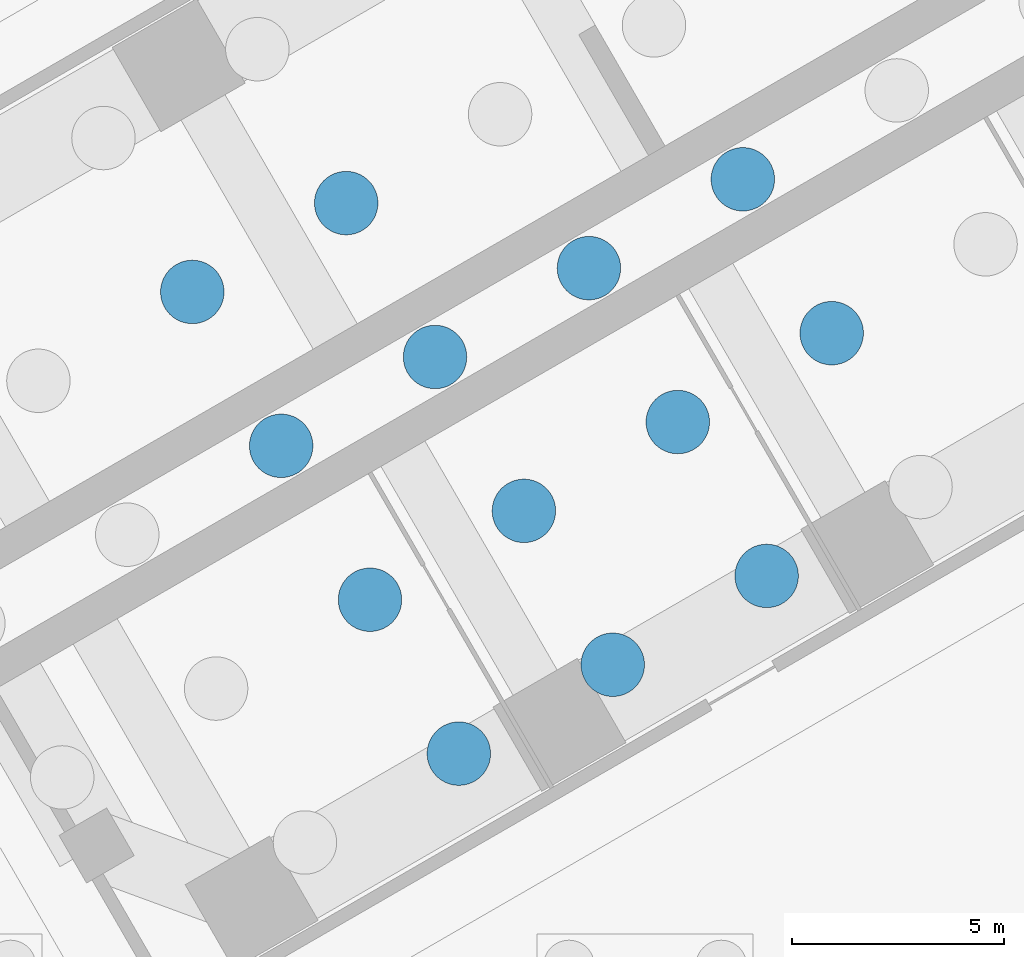
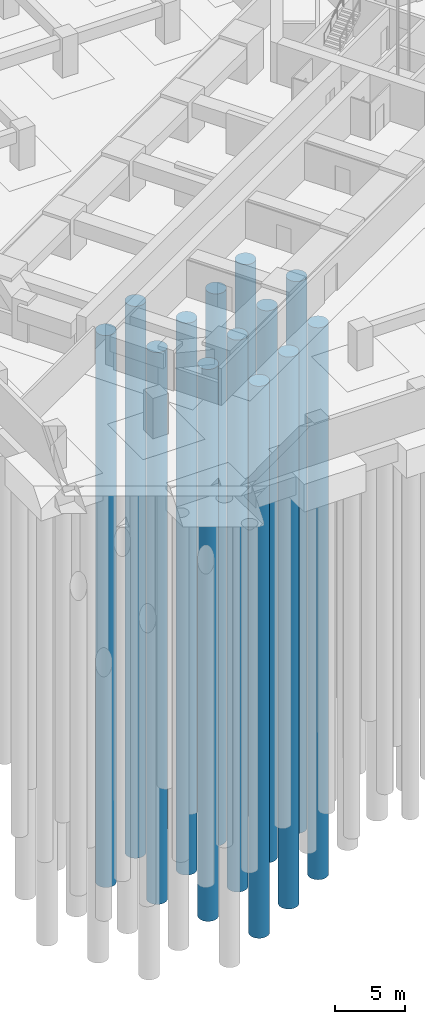
# One storey, part 5 of 73: 13 piles.
"""IFC4 building model written with IfcOpenShell, lengths in metres."""

from ifc_helpers import new_model, si_unit, direction, frame, origin, origin_2d, place, context, subcontext, project, spatial, polyline, circle, outline, extrude, material, material_profile, profile_set, type_object, element, save


model = new_model("IFC4")

# Units and contexts
model_context = context("Model", 3, precision=1e-05, world=origin(), true_north=direction((0.0, 1.0)))
body_context = subcontext(model_context, "Body", "Model", "MODEL_VIEW")
ifc_project = project(units=[si_unit("LENGTHUNIT", "METRE"), si_unit("AREAUNIT", "SQUARE_METRE"), si_unit("VOLUMEUNIT", "CUBIC_METRE"), si_unit("PLANEANGLEUNIT", "RADIAN"), si_unit("MASSUNIT", "GRAM", prefix="KILO")], contexts=[model_context])

# Site, building, storey
site_placement = place(None, origin())
site = spatial("IfcSite", under=ifc_project, at=site_placement, CompositionType="ELEMENT")
building_placement = place(site_placement, origin())
building = spatial("IfcBuilding", under=site, at=building_placement, Name="Impinga Residences", CompositionType="ELEMENT")
storey_placement = place(building_placement, frame((0.0, 0.0, -10.5)))
storey = spatial("IfcBuildingStorey", under=building, at=storey_placement, Name="B3", CompositionType="ELEMENT", Elevation=-10.5)

# Piles
ifc_material = material(Name="Concrete C35/45", Category="concrete")
ifc_material_profile = material_profile(ifc_material, circle(Radius=0.75, at=origin_2d()), Name="D1500")
ifc_profile_set = profile_set([ifc_material_profile], Name="Concrete C35/45")
pile_type = type_object("IfcPileType", Name="BP1 bored pile D1500", PredefinedType="BORED", material=ifc_profile_set)
pile_1_placement = place(storey_placement, frame((-29.602294921875, -26.790283203125, -4.0), z_axis=(0.0, 0.0, -1.0), x_axis=(1.0, 0.0, 0.0)))
element("IfcPile", 1, at=pile_1_placement, inside=storey, type_object=pile_type, Name="Raft pile BP1-005", PredefinedType="BORED", context=body_context, shape_type="SweptSolid", body=[
    extrude(outline(polyline([(0.75, 0.0), (0.746337890625, 0.073486328125), (0.735595703125, 0.146240234375), (0.7177734375, 0.2177734375), (0.69287109375, 0.287109375), (0.661376953125, 0.353515625), (0.62353515625, 0.416748046875), (0.579833984375, 0.475830078125), (0.5302734375, 0.5302734375), (0.475830078125, 0.579833984375), (0.416748046875, 0.62353515625), (0.353515625, 0.661376953125), (0.287109375, 0.69287109375), (0.2177734375, 0.7177734375), (0.146240234375, 0.735595703125), (0.073486328125, 0.746337890625), (0.0, 0.75), (-0.073486328125, 0.746337890625), (-0.146240234375, 0.735595703125), (-0.2177734375, 0.7177734375), (-0.287109375, 0.69287109375), (-0.353515625, 0.661376953125), (-0.416748046875, 0.62353515625), (-0.475830078125, 0.579833984375), (-0.5302734375, 0.5302734375), (-0.579833984375, 0.475830078125), (-0.62353515625, 0.416748046875), (-0.661376953125, 0.353515625), (-0.69287109375, 0.287109375), (-0.7177734375, 0.2177734375), (-0.735595703125, 0.146240234375), (-0.746337890625, 0.073486328125), (-0.75, 0.0), (-0.746337890625, -0.073486328125), (-0.735595703125, -0.146240234375), (-0.7177734375, -0.2177734375), (-0.69287109375, -0.287109375), (-0.661376953125, -0.353515625), (-0.62353515625, -0.416748046875), (-0.579833984375, -0.475830078125), (-0.5302734375, -0.5302734375), (-0.475830078125, -0.579833984375), (-0.416748046875, -0.62353515625), (-0.353515625, -0.661376953125), (-0.287109375, -0.69287109375), (-0.2177734375, -0.7177734375), (-0.146240234375, -0.735595703125), (-0.073486328125, -0.746337890625), (0.0, -0.75), (0.073486328125, -0.746337890625), (0.146240234375, -0.735595703125), (0.2177734375, -0.7177734375), (0.287109375, -0.69287109375), (0.353515625, -0.661376953125), (0.416748046875, -0.62353515625), (0.475830078125, -0.579833984375), (0.5302734375, -0.5302734375), (0.579833984375, -0.475830078125), (0.62353515625, -0.416748046875), (0.661376953125, -0.353515625), (0.69287109375, -0.287109375), (0.7177734375, -0.2177734375), (0.735595703125, -0.146240234375), (0.746337890625, -0.073486328125), (0.75, 0.0)])), origin(), (0.0, 0.0, 1.0), 48.0),
])
pile_2_placement = place(storey_placement, frame((-25.965087890625, -24.6904296875, -4.0), z_axis=(0.0, 0.0, -1.0), x_axis=(1.0, 0.0, 0.0)))
element("IfcPile", 2, at=pile_2_placement, inside=storey, type_object=pile_type, Name="Raft pile BP1-009", PredefinedType="BORED", context=body_context, shape_type="SweptSolid", body=[
    extrude(outline(polyline([(0.75, 0.0), (0.746337890625, 0.073486328125), (0.735595703125, 0.146240234375), (0.7177734375, 0.2177734375), (0.69287109375, 0.287109375), (0.661376953125, 0.353515625), (0.62353515625, 0.416748046875), (0.579833984375, 0.475830078125), (0.5302734375, 0.5302734375), (0.475830078125, 0.579833984375), (0.416748046875, 0.62353515625), (0.353515625, 0.661376953125), (0.287109375, 0.69287109375), (0.2177734375, 0.7177734375), (0.146240234375, 0.735595703125), (0.073486328125, 0.746337890625), (0.0, 0.75), (-0.073486328125, 0.746337890625), (-0.146240234375, 0.735595703125), (-0.2177734375, 0.7177734375), (-0.287109375, 0.69287109375), (-0.353515625, 0.661376953125), (-0.416748046875, 0.62353515625), (-0.475830078125, 0.579833984375), (-0.5302734375, 0.5302734375), (-0.579833984375, 0.475830078125), (-0.62353515625, 0.416748046875), (-0.661376953125, 0.353515625), (-0.69287109375, 0.287109375), (-0.7177734375, 0.2177734375), (-0.735595703125, 0.146240234375), (-0.746337890625, 0.073486328125), (-0.75, 0.0), (-0.746337890625, -0.073486328125), (-0.735595703125, -0.146240234375), (-0.7177734375, -0.2177734375), (-0.69287109375, -0.287109375), (-0.661376953125, -0.353515625), (-0.62353515625, -0.416748046875), (-0.579833984375, -0.475830078125), (-0.5302734375, -0.5302734375), (-0.475830078125, -0.579833984375), (-0.416748046875, -0.62353515625), (-0.353515625, -0.661376953125), (-0.287109375, -0.69287109375), (-0.2177734375, -0.7177734375), (-0.146240234375, -0.735595703125), (-0.073486328125, -0.746337890625), (0.0, -0.75), (0.073486328125, -0.746337890625), (0.146240234375, -0.735595703125), (0.2177734375, -0.7177734375), (0.287109375, -0.69287109375), (0.353515625, -0.661376953125), (0.416748046875, -0.62353515625), (0.475830078125, -0.579833984375), (0.5302734375, -0.5302734375), (0.579833984375, -0.475830078125), (0.62353515625, -0.416748046875), (0.661376953125, -0.353515625), (0.69287109375, -0.287109375), (0.7177734375, -0.2177734375), (0.735595703125, -0.146240234375), (0.746337890625, -0.073486328125), (0.75, 0.0)])), origin(), (0.0, 0.0, 1.0), 48.0),
])
pile_3_placement = place(storey_placement, frame((-31.702392578125, -23.153076171875, -4.0), z_axis=(0.0, 0.0, -1.0), x_axis=(1.0, 0.0, 0.0)))
element("IfcPile", 3, at=pile_3_placement, inside=storey, type_object=pile_type, Name="Raft pile BP1-013", PredefinedType="BORED", context=body_context, shape_type="SweptSolid", body=[
    extrude(outline(polyline([(0.75, 0.0), (0.746337890625, 0.073486328125), (0.735595703125, 0.146240234375), (0.7177734375, 0.2177734375), (0.69287109375, 0.287109375), (0.661376953125, 0.353515625), (0.62353515625, 0.416748046875), (0.579833984375, 0.475830078125), (0.5302734375, 0.5302734375), (0.475830078125, 0.579833984375), (0.416748046875, 0.62353515625), (0.353515625, 0.661376953125), (0.287109375, 0.69287109375), (0.2177734375, 0.7177734375), (0.146240234375, 0.735595703125), (0.073486328125, 0.746337890625), (0.0, 0.75), (-0.073486328125, 0.746337890625), (-0.146240234375, 0.735595703125), (-0.2177734375, 0.7177734375), (-0.287109375, 0.69287109375), (-0.353515625, 0.661376953125), (-0.416748046875, 0.62353515625), (-0.475830078125, 0.579833984375), (-0.5302734375, 0.5302734375), (-0.579833984375, 0.475830078125), (-0.62353515625, 0.416748046875), (-0.661376953125, 0.353515625), (-0.69287109375, 0.287109375), (-0.7177734375, 0.2177734375), (-0.735595703125, 0.146240234375), (-0.746337890625, 0.073486328125), (-0.75, 0.0), (-0.746337890625, -0.073486328125), (-0.735595703125, -0.146240234375), (-0.7177734375, -0.2177734375), (-0.69287109375, -0.287109375), (-0.661376953125, -0.353515625), (-0.62353515625, -0.416748046875), (-0.579833984375, -0.475830078125), (-0.5302734375, -0.5302734375), (-0.475830078125, -0.579833984375), (-0.416748046875, -0.62353515625), (-0.353515625, -0.661376953125), (-0.287109375, -0.69287109375), (-0.2177734375, -0.7177734375), (-0.146240234375, -0.735595703125), (-0.073486328125, -0.746337890625), (0.0, -0.75), (0.073486328125, -0.746337890625), (0.146240234375, -0.735595703125), (0.2177734375, -0.7177734375), (0.287109375, -0.69287109375), (0.353515625, -0.661376953125), (0.416748046875, -0.62353515625), (0.475830078125, -0.579833984375), (0.5302734375, -0.5302734375), (0.579833984375, -0.475830078125), (0.62353515625, -0.416748046875), (0.661376953125, -0.353515625), (0.69287109375, -0.287109375), (0.7177734375, -0.2177734375), (0.735595703125, -0.146240234375), (0.746337890625, -0.073486328125), (0.75, 0.0)])), origin(), (0.0, 0.0, 1.0), 48.0),
])
pile_4_placement = place(storey_placement, frame((-22.32763671875, -22.59033203125, -4.0), z_axis=(0.0, 0.0, -1.0), x_axis=(1.0, 0.0, 0.0)))
element("IfcPile", 4, at=pile_4_placement, inside=storey, type_object=pile_type, Name="Raft pile BP1-015", PredefinedType="BORED", context=body_context, shape_type="SweptSolid", body=[
    extrude(outline(polyline([(0.75, 0.0), (0.746337890625, 0.073486328125), (0.735595703125, 0.146240234375), (0.7177734375, 0.2177734375), (0.69287109375, 0.287109375), (0.661376953125, 0.353515625), (0.62353515625, 0.416748046875), (0.579833984375, 0.475830078125), (0.5302734375, 0.5302734375), (0.475830078125, 0.579833984375), (0.416748046875, 0.62353515625), (0.353515625, 0.661376953125), (0.287109375, 0.69287109375), (0.2177734375, 0.7177734375), (0.146240234375, 0.735595703125), (0.073486328125, 0.746337890625), (0.0, 0.75), (-0.073486328125, 0.746337890625), (-0.146240234375, 0.735595703125), (-0.2177734375, 0.7177734375), (-0.287109375, 0.69287109375), (-0.353515625, 0.661376953125), (-0.416748046875, 0.62353515625), (-0.475830078125, 0.579833984375), (-0.5302734375, 0.5302734375), (-0.579833984375, 0.475830078125), (-0.62353515625, 0.416748046875), (-0.661376953125, 0.353515625), (-0.69287109375, 0.287109375), (-0.7177734375, 0.2177734375), (-0.735595703125, 0.146240234375), (-0.746337890625, 0.073486328125), (-0.75, 0.0), (-0.746337890625, -0.073486328125), (-0.735595703125, -0.146240234375), (-0.7177734375, -0.2177734375), (-0.69287109375, -0.287109375), (-0.661376953125, -0.353515625), (-0.62353515625, -0.416748046875), (-0.579833984375, -0.475830078125), (-0.5302734375, -0.5302734375), (-0.475830078125, -0.579833984375), (-0.416748046875, -0.62353515625), (-0.353515625, -0.661376953125), (-0.287109375, -0.69287109375), (-0.2177734375, -0.7177734375), (-0.146240234375, -0.735595703125), (-0.073486328125, -0.746337890625), (0.0, -0.75), (0.073486328125, -0.746337890625), (0.146240234375, -0.735595703125), (0.2177734375, -0.7177734375), (0.287109375, -0.69287109375), (0.353515625, -0.661376953125), (0.416748046875, -0.62353515625), (0.475830078125, -0.579833984375), (0.5302734375, -0.5302734375), (0.579833984375, -0.475830078125), (0.62353515625, -0.416748046875), (0.661376953125, -0.353515625), (0.69287109375, -0.287109375), (0.7177734375, -0.2177734375), (0.735595703125, -0.146240234375), (0.746337890625, -0.073486328125), (0.75, 0.0)])), origin(), (0.0, 0.0, 1.0), 48.0),
])
pile_5_placement = place(storey_placement, frame((-28.06494140625, -21.052978515625, -4.0), z_axis=(0.0, 0.0, -1.0), x_axis=(1.0, 0.0, 0.0)))
element("IfcPile", 5, at=pile_5_placement, inside=storey, type_object=pile_type, Name="Raft pile BP1-019", PredefinedType="BORED", context=body_context, shape_type="SweptSolid", body=[
    extrude(outline(polyline([(0.75, 0.0), (0.746337890625, 0.073486328125), (0.735595703125, 0.146240234375), (0.7177734375, 0.2177734375), (0.69287109375, 0.287109375), (0.661376953125, 0.353515625), (0.62353515625, 0.416748046875), (0.579833984375, 0.475830078125), (0.5302734375, 0.5302734375), (0.475830078125, 0.579833984375), (0.416748046875, 0.62353515625), (0.353515625, 0.661376953125), (0.287109375, 0.69287109375), (0.2177734375, 0.7177734375), (0.146240234375, 0.735595703125), (0.073486328125, 0.746337890625), (0.0, 0.75), (-0.073486328125, 0.746337890625), (-0.146240234375, 0.735595703125), (-0.2177734375, 0.7177734375), (-0.287109375, 0.69287109375), (-0.353515625, 0.661376953125), (-0.416748046875, 0.62353515625), (-0.475830078125, 0.579833984375), (-0.5302734375, 0.5302734375), (-0.579833984375, 0.475830078125), (-0.62353515625, 0.416748046875), (-0.661376953125, 0.353515625), (-0.69287109375, 0.287109375), (-0.7177734375, 0.2177734375), (-0.735595703125, 0.146240234375), (-0.746337890625, 0.073486328125), (-0.75, 0.0), (-0.746337890625, -0.073486328125), (-0.735595703125, -0.146240234375), (-0.7177734375, -0.2177734375), (-0.69287109375, -0.287109375), (-0.661376953125, -0.353515625), (-0.62353515625, -0.416748046875), (-0.579833984375, -0.475830078125), (-0.5302734375, -0.5302734375), (-0.475830078125, -0.579833984375), (-0.416748046875, -0.62353515625), (-0.353515625, -0.661376953125), (-0.287109375, -0.69287109375), (-0.2177734375, -0.7177734375), (-0.146240234375, -0.735595703125), (-0.073486328125, -0.746337890625), (0.0, -0.75), (0.073486328125, -0.746337890625), (0.146240234375, -0.735595703125), (0.2177734375, -0.7177734375), (0.287109375, -0.69287109375), (0.353515625, -0.661376953125), (0.416748046875, -0.62353515625), (0.475830078125, -0.579833984375), (0.5302734375, -0.5302734375), (0.579833984375, -0.475830078125), (0.62353515625, -0.416748046875), (0.661376953125, -0.353515625), (0.69287109375, -0.287109375), (0.7177734375, -0.2177734375), (0.735595703125, -0.146240234375), (0.746337890625, -0.073486328125), (0.75, 0.0)])), origin(), (0.0, 0.0, 1.0), 48.0),
])
pile_6_placement = place(storey_placement, frame((-33.80224609375, -19.515869140625, -4.0), z_axis=(0.0, 0.0, -1.0), x_axis=(1.0, 0.0, 0.0)))
element("IfcPile", 6, at=pile_6_placement, inside=storey, type_object=pile_type, Name="Raft pile BP1-025", PredefinedType="BORED", context=body_context, shape_type="SweptSolid", body=[
    extrude(outline(polyline([(0.75, 0.0), (0.746337890625, 0.073486328125), (0.735595703125, 0.146240234375), (0.7177734375, 0.2177734375), (0.69287109375, 0.287109375), (0.661376953125, 0.353515625), (0.62353515625, 0.416748046875), (0.579833984375, 0.475830078125), (0.5302734375, 0.5302734375), (0.475830078125, 0.579833984375), (0.416748046875, 0.62353515625), (0.353515625, 0.661376953125), (0.287109375, 0.69287109375), (0.2177734375, 0.7177734375), (0.146240234375, 0.735595703125), (0.073486328125, 0.746337890625), (0.0, 0.75), (-0.073486328125, 0.746337890625), (-0.146240234375, 0.735595703125), (-0.2177734375, 0.7177734375), (-0.287109375, 0.69287109375), (-0.353515625, 0.661376953125), (-0.416748046875, 0.62353515625), (-0.475830078125, 0.579833984375), (-0.5302734375, 0.5302734375), (-0.579833984375, 0.475830078125), (-0.62353515625, 0.416748046875), (-0.661376953125, 0.353515625), (-0.69287109375, 0.287109375), (-0.7177734375, 0.2177734375), (-0.735595703125, 0.146240234375), (-0.746337890625, 0.073486328125), (-0.75, 0.0), (-0.746337890625, -0.073486328125), (-0.735595703125, -0.146240234375), (-0.7177734375, -0.2177734375), (-0.69287109375, -0.287109375), (-0.661376953125, -0.353515625), (-0.62353515625, -0.416748046875), (-0.579833984375, -0.475830078125), (-0.5302734375, -0.5302734375), (-0.475830078125, -0.579833984375), (-0.416748046875, -0.62353515625), (-0.353515625, -0.661376953125), (-0.287109375, -0.69287109375), (-0.2177734375, -0.7177734375), (-0.146240234375, -0.735595703125), (-0.073486328125, -0.746337890625), (0.0, -0.75), (0.073486328125, -0.746337890625), (0.146240234375, -0.735595703125), (0.2177734375, -0.7177734375), (0.287109375, -0.69287109375), (0.353515625, -0.661376953125), (0.416748046875, -0.62353515625), (0.475830078125, -0.579833984375), (0.5302734375, -0.5302734375), (0.579833984375, -0.475830078125), (0.62353515625, -0.416748046875), (0.661376953125, -0.353515625), (0.69287109375, -0.287109375), (0.7177734375, -0.2177734375), (0.735595703125, -0.146240234375), (0.746337890625, -0.073486328125), (0.75, 0.0)])), origin(), (0.0, 0.0, 1.0), 48.0),
])
pile_7_placement = place(storey_placement, frame((-24.427734375, -18.953125, -4.0), z_axis=(0.0, 0.0, -1.0), x_axis=(1.0, 0.0, 0.0)))
element("IfcPile", 7, at=pile_7_placement, inside=storey, type_object=pile_type, Name="Raft pile BP1-027", PredefinedType="BORED", context=body_context, shape_type="SweptSolid", body=[
    extrude(outline(polyline([(0.75, 0.0), (0.746337890625, 0.073486328125), (0.735595703125, 0.146240234375), (0.7177734375, 0.2177734375), (0.69287109375, 0.287109375), (0.661376953125, 0.353515625), (0.62353515625, 0.416748046875), (0.579833984375, 0.475830078125), (0.5302734375, 0.5302734375), (0.475830078125, 0.579833984375), (0.416748046875, 0.62353515625), (0.353515625, 0.661376953125), (0.287109375, 0.69287109375), (0.2177734375, 0.7177734375), (0.146240234375, 0.735595703125), (0.073486328125, 0.746337890625), (0.0, 0.75), (-0.073486328125, 0.746337890625), (-0.146240234375, 0.735595703125), (-0.2177734375, 0.7177734375), (-0.287109375, 0.69287109375), (-0.353515625, 0.661376953125), (-0.416748046875, 0.62353515625), (-0.475830078125, 0.579833984375), (-0.5302734375, 0.5302734375), (-0.579833984375, 0.475830078125), (-0.62353515625, 0.416748046875), (-0.661376953125, 0.353515625), (-0.69287109375, 0.287109375), (-0.7177734375, 0.2177734375), (-0.735595703125, 0.146240234375), (-0.746337890625, 0.073486328125), (-0.75, 0.0), (-0.746337890625, -0.073486328125), (-0.735595703125, -0.146240234375), (-0.7177734375, -0.2177734375), (-0.69287109375, -0.287109375), (-0.661376953125, -0.353515625), (-0.62353515625, -0.416748046875), (-0.579833984375, -0.475830078125), (-0.5302734375, -0.5302734375), (-0.475830078125, -0.579833984375), (-0.416748046875, -0.62353515625), (-0.353515625, -0.661376953125), (-0.287109375, -0.69287109375), (-0.2177734375, -0.7177734375), (-0.146240234375, -0.735595703125), (-0.073486328125, -0.746337890625), (0.0, -0.75), (0.073486328125, -0.746337890625), (0.146240234375, -0.735595703125), (0.2177734375, -0.7177734375), (0.287109375, -0.69287109375), (0.353515625, -0.661376953125), (0.416748046875, -0.62353515625), (0.475830078125, -0.579833984375), (0.5302734375, -0.5302734375), (0.579833984375, -0.475830078125), (0.62353515625, -0.416748046875), (0.661376953125, -0.353515625), (0.69287109375, -0.287109375), (0.7177734375, -0.2177734375), (0.735595703125, -0.146240234375), (0.746337890625, -0.073486328125), (0.75, 0.0)])), origin(), (0.0, 0.0, 1.0), 48.0),
])
pile_8_placement = place(storey_placement, frame((-30.1650390625, -17.415771484375, -4.0), z_axis=(0.0, 0.0, -1.0), x_axis=(1.0, 0.0, 0.0)))
element("IfcPile", 8, at=pile_8_placement, inside=storey, type_object=pile_type, Name="Raft pile BP1-033", PredefinedType="BORED", context=body_context, shape_type="SweptSolid", body=[
    extrude(outline(polyline([(0.75, 0.0), (0.746337890625, 0.073486328125), (0.735595703125, 0.146240234375), (0.7177734375, 0.2177734375), (0.69287109375, 0.287109375), (0.661376953125, 0.353515625), (0.62353515625, 0.416748046875), (0.579833984375, 0.475830078125), (0.5302734375, 0.5302734375), (0.475830078125, 0.579833984375), (0.416748046875, 0.62353515625), (0.353515625, 0.661376953125), (0.287109375, 0.69287109375), (0.2177734375, 0.7177734375), (0.146240234375, 0.735595703125), (0.073486328125, 0.746337890625), (0.0, 0.75), (-0.073486328125, 0.746337890625), (-0.146240234375, 0.735595703125), (-0.2177734375, 0.7177734375), (-0.287109375, 0.69287109375), (-0.353515625, 0.661376953125), (-0.416748046875, 0.62353515625), (-0.475830078125, 0.579833984375), (-0.5302734375, 0.5302734375), (-0.579833984375, 0.475830078125), (-0.62353515625, 0.416748046875), (-0.661376953125, 0.353515625), (-0.69287109375, 0.287109375), (-0.7177734375, 0.2177734375), (-0.735595703125, 0.146240234375), (-0.746337890625, 0.073486328125), (-0.75, 0.0), (-0.746337890625, -0.073486328125), (-0.735595703125, -0.146240234375), (-0.7177734375, -0.2177734375), (-0.69287109375, -0.287109375), (-0.661376953125, -0.353515625), (-0.62353515625, -0.416748046875), (-0.579833984375, -0.475830078125), (-0.5302734375, -0.5302734375), (-0.475830078125, -0.579833984375), (-0.416748046875, -0.62353515625), (-0.353515625, -0.661376953125), (-0.287109375, -0.69287109375), (-0.2177734375, -0.7177734375), (-0.146240234375, -0.735595703125), (-0.073486328125, -0.746337890625), (0.0, -0.75), (0.073486328125, -0.746337890625), (0.146240234375, -0.735595703125), (0.2177734375, -0.7177734375), (0.287109375, -0.69287109375), (0.353515625, -0.661376953125), (0.416748046875, -0.62353515625), (0.475830078125, -0.579833984375), (0.5302734375, -0.5302734375), (0.579833984375, -0.475830078125), (0.62353515625, -0.416748046875), (0.661376953125, -0.353515625), (0.69287109375, -0.287109375), (0.7177734375, -0.2177734375), (0.735595703125, -0.146240234375), (0.746337890625, -0.073486328125), (0.75, 0.0)])), origin(), (0.0, 0.0, 1.0), 48.0),
])
pile_9_placement = place(storey_placement, frame((-20.790283203125, -16.85302734375, -4.0), z_axis=(0.0, 0.0, -1.0), x_axis=(1.0, 0.0, 0.0)))
element("IfcPile", 9, at=pile_9_placement, inside=storey, type_object=pile_type, Name="Raft pile BP1-035", PredefinedType="BORED", context=body_context, shape_type="SweptSolid", body=[
    extrude(outline(polyline([(0.75, 0.0), (0.746337890625, 0.073486328125), (0.735595703125, 0.146240234375), (0.7177734375, 0.2177734375), (0.69287109375, 0.287109375), (0.661376953125, 0.353515625), (0.62353515625, 0.416748046875), (0.579833984375, 0.475830078125), (0.5302734375, 0.5302734375), (0.475830078125, 0.579833984375), (0.416748046875, 0.62353515625), (0.353515625, 0.661376953125), (0.287109375, 0.69287109375), (0.2177734375, 0.7177734375), (0.146240234375, 0.735595703125), (0.073486328125, 0.746337890625), (0.0, 0.75), (-0.073486328125, 0.746337890625), (-0.146240234375, 0.735595703125), (-0.2177734375, 0.7177734375), (-0.287109375, 0.69287109375), (-0.353515625, 0.661376953125), (-0.416748046875, 0.62353515625), (-0.475830078125, 0.579833984375), (-0.5302734375, 0.5302734375), (-0.579833984375, 0.475830078125), (-0.62353515625, 0.416748046875), (-0.661376953125, 0.353515625), (-0.69287109375, 0.287109375), (-0.7177734375, 0.2177734375), (-0.735595703125, 0.146240234375), (-0.746337890625, 0.073486328125), (-0.75, 0.0), (-0.746337890625, -0.073486328125), (-0.735595703125, -0.146240234375), (-0.7177734375, -0.2177734375), (-0.69287109375, -0.287109375), (-0.661376953125, -0.353515625), (-0.62353515625, -0.416748046875), (-0.579833984375, -0.475830078125), (-0.5302734375, -0.5302734375), (-0.475830078125, -0.579833984375), (-0.416748046875, -0.62353515625), (-0.353515625, -0.661376953125), (-0.287109375, -0.69287109375), (-0.2177734375, -0.7177734375), (-0.146240234375, -0.735595703125), (-0.073486328125, -0.746337890625), (0.0, -0.75), (0.073486328125, -0.746337890625), (0.146240234375, -0.735595703125), (0.2177734375, -0.7177734375), (0.287109375, -0.69287109375), (0.353515625, -0.661376953125), (0.416748046875, -0.62353515625), (0.475830078125, -0.579833984375), (0.5302734375, -0.5302734375), (0.579833984375, -0.475830078125), (0.62353515625, -0.416748046875), (0.661376953125, -0.353515625), (0.69287109375, -0.287109375), (0.7177734375, -0.2177734375), (0.735595703125, -0.146240234375), (0.746337890625, -0.073486328125), (0.75, 0.0)])), origin(), (0.0, 0.0, 1.0), 48.0),
])
pile_10_placement = place(storey_placement, frame((-35.90234375, -15.87841796875, -4.0), z_axis=(0.0, 0.0, -1.0), x_axis=(1.0, 0.0, 0.0)))
element("IfcPile", 10, at=pile_10_placement, inside=storey, type_object=pile_type, Name="Raft pile BP1-039", PredefinedType="BORED", context=body_context, shape_type="SweptSolid", body=[
    extrude(outline(polyline([(0.75, 0.0), (0.746337890625, 0.073486328125), (0.735595703125, 0.146240234375), (0.7177734375, 0.2177734375), (0.69287109375, 0.287109375), (0.661376953125, 0.353515625), (0.62353515625, 0.416748046875), (0.579833984375, 0.475830078125), (0.5302734375, 0.5302734375), (0.475830078125, 0.579833984375), (0.416748046875, 0.62353515625), (0.353515625, 0.661376953125), (0.287109375, 0.69287109375), (0.2177734375, 0.7177734375), (0.146240234375, 0.735595703125), (0.073486328125, 0.746337890625), (0.0, 0.75), (-0.073486328125, 0.746337890625), (-0.146240234375, 0.735595703125), (-0.2177734375, 0.7177734375), (-0.287109375, 0.69287109375), (-0.353515625, 0.661376953125), (-0.416748046875, 0.62353515625), (-0.475830078125, 0.579833984375), (-0.5302734375, 0.5302734375), (-0.579833984375, 0.475830078125), (-0.62353515625, 0.416748046875), (-0.661376953125, 0.353515625), (-0.69287109375, 0.287109375), (-0.7177734375, 0.2177734375), (-0.735595703125, 0.146240234375), (-0.746337890625, 0.073486328125), (-0.75, 0.0), (-0.746337890625, -0.073486328125), (-0.735595703125, -0.146240234375), (-0.7177734375, -0.2177734375), (-0.69287109375, -0.287109375), (-0.661376953125, -0.353515625), (-0.62353515625, -0.416748046875), (-0.579833984375, -0.475830078125), (-0.5302734375, -0.5302734375), (-0.475830078125, -0.579833984375), (-0.416748046875, -0.62353515625), (-0.353515625, -0.661376953125), (-0.287109375, -0.69287109375), (-0.2177734375, -0.7177734375), (-0.146240234375, -0.735595703125), (-0.073486328125, -0.746337890625), (0.0, -0.75), (0.073486328125, -0.746337890625), (0.146240234375, -0.735595703125), (0.2177734375, -0.7177734375), (0.287109375, -0.69287109375), (0.353515625, -0.661376953125), (0.416748046875, -0.62353515625), (0.475830078125, -0.579833984375), (0.5302734375, -0.5302734375), (0.579833984375, -0.475830078125), (0.62353515625, -0.416748046875), (0.661376953125, -0.353515625), (0.69287109375, -0.287109375), (0.7177734375, -0.2177734375), (0.735595703125, -0.146240234375), (0.746337890625, -0.073486328125), (0.75, 0.0)])), origin(), (0.0, 0.0, 1.0), 48.0),
])
pile_11_placement = place(storey_placement, frame((-26.527587890625, -15.315673828125, -4.0), z_axis=(0.0, 0.0, -1.0), x_axis=(1.0, 0.0, 0.0)))
element("IfcPile", 11, at=pile_11_placement, inside=storey, type_object=pile_type, Name="Raft pile BP1-041", PredefinedType="BORED", context=body_context, shape_type="SweptSolid", body=[
    extrude(outline(polyline([(0.75, 0.0), (0.746337890625, 0.073486328125), (0.735595703125, 0.146240234375), (0.7177734375, 0.2177734375), (0.69287109375, 0.287109375), (0.661376953125, 0.353515625), (0.62353515625, 0.416748046875), (0.579833984375, 0.475830078125), (0.5302734375, 0.5302734375), (0.475830078125, 0.579833984375), (0.416748046875, 0.62353515625), (0.353515625, 0.661376953125), (0.287109375, 0.69287109375), (0.2177734375, 0.7177734375), (0.146240234375, 0.735595703125), (0.073486328125, 0.746337890625), (0.0, 0.75), (-0.073486328125, 0.746337890625), (-0.146240234375, 0.735595703125), (-0.2177734375, 0.7177734375), (-0.287109375, 0.69287109375), (-0.353515625, 0.661376953125), (-0.416748046875, 0.62353515625), (-0.475830078125, 0.579833984375), (-0.5302734375, 0.5302734375), (-0.579833984375, 0.475830078125), (-0.62353515625, 0.416748046875), (-0.661376953125, 0.353515625), (-0.69287109375, 0.287109375), (-0.7177734375, 0.2177734375), (-0.735595703125, 0.146240234375), (-0.746337890625, 0.073486328125), (-0.75, 0.0), (-0.746337890625, -0.073486328125), (-0.735595703125, -0.146240234375), (-0.7177734375, -0.2177734375), (-0.69287109375, -0.287109375), (-0.661376953125, -0.353515625), (-0.62353515625, -0.416748046875), (-0.579833984375, -0.475830078125), (-0.5302734375, -0.5302734375), (-0.475830078125, -0.579833984375), (-0.416748046875, -0.62353515625), (-0.353515625, -0.661376953125), (-0.287109375, -0.69287109375), (-0.2177734375, -0.7177734375), (-0.146240234375, -0.735595703125), (-0.073486328125, -0.746337890625), (0.0, -0.75), (0.073486328125, -0.746337890625), (0.146240234375, -0.735595703125), (0.2177734375, -0.7177734375), (0.287109375, -0.69287109375), (0.353515625, -0.661376953125), (0.416748046875, -0.62353515625), (0.475830078125, -0.579833984375), (0.5302734375, -0.5302734375), (0.579833984375, -0.475830078125), (0.62353515625, -0.416748046875), (0.661376953125, -0.353515625), (0.69287109375, -0.287109375), (0.7177734375, -0.2177734375), (0.735595703125, -0.146240234375), (0.746337890625, -0.073486328125), (0.75, 0.0)])), origin(), (0.0, 0.0, 1.0), 48.0),
])
pile_12_placement = place(storey_placement, frame((-32.264892578125, -13.778564453125, -4.0), z_axis=(0.0, 0.0, -1.0), x_axis=(1.0, 0.0, 0.0)))
element("IfcPile", 12, at=pile_12_placement, inside=storey, type_object=pile_type, Name="Raft pile BP1-047", PredefinedType="BORED", context=body_context, shape_type="SweptSolid", body=[
    extrude(outline(polyline([(0.75, 0.0), (0.746337890625, 0.073486328125), (0.735595703125, 0.146240234375), (0.7177734375, 0.2177734375), (0.69287109375, 0.287109375), (0.661376953125, 0.353515625), (0.62353515625, 0.416748046875), (0.579833984375, 0.475830078125), (0.5302734375, 0.5302734375), (0.475830078125, 0.579833984375), (0.416748046875, 0.62353515625), (0.353515625, 0.661376953125), (0.287109375, 0.69287109375), (0.2177734375, 0.7177734375), (0.146240234375, 0.735595703125), (0.073486328125, 0.746337890625), (0.0, 0.75), (-0.073486328125, 0.746337890625), (-0.146240234375, 0.735595703125), (-0.2177734375, 0.7177734375), (-0.287109375, 0.69287109375), (-0.353515625, 0.661376953125), (-0.416748046875, 0.62353515625), (-0.475830078125, 0.579833984375), (-0.5302734375, 0.5302734375), (-0.579833984375, 0.475830078125), (-0.62353515625, 0.416748046875), (-0.661376953125, 0.353515625), (-0.69287109375, 0.287109375), (-0.7177734375, 0.2177734375), (-0.735595703125, 0.146240234375), (-0.746337890625, 0.073486328125), (-0.75, 0.0), (-0.746337890625, -0.073486328125), (-0.735595703125, -0.146240234375), (-0.7177734375, -0.2177734375), (-0.69287109375, -0.287109375), (-0.661376953125, -0.353515625), (-0.62353515625, -0.416748046875), (-0.579833984375, -0.475830078125), (-0.5302734375, -0.5302734375), (-0.475830078125, -0.579833984375), (-0.416748046875, -0.62353515625), (-0.353515625, -0.661376953125), (-0.287109375, -0.69287109375), (-0.2177734375, -0.7177734375), (-0.146240234375, -0.735595703125), (-0.073486328125, -0.746337890625), (0.0, -0.75), (0.073486328125, -0.746337890625), (0.146240234375, -0.735595703125), (0.2177734375, -0.7177734375), (0.287109375, -0.69287109375), (0.353515625, -0.661376953125), (0.416748046875, -0.62353515625), (0.475830078125, -0.579833984375), (0.5302734375, -0.5302734375), (0.579833984375, -0.475830078125), (0.62353515625, -0.416748046875), (0.661376953125, -0.353515625), (0.69287109375, -0.287109375), (0.7177734375, -0.2177734375), (0.735595703125, -0.146240234375), (0.746337890625, -0.073486328125), (0.75, 0.0)])), origin(), (0.0, 0.0, 1.0), 48.0),
])
pile_13_placement = place(storey_placement, frame((-22.890380859375, -13.2158203125, -4.0), z_axis=(0.0, 0.0, -1.0), x_axis=(1.0, 0.0, 0.0)))
element("IfcPile", 13, at=pile_13_placement, inside=storey, type_object=pile_type, Name="Raft pile BP1-049", PredefinedType="BORED", context=body_context, shape_type="SweptSolid", body=[
    extrude(outline(polyline([(0.75, 0.0), (0.746337890625, 0.073486328125), (0.735595703125, 0.146240234375), (0.7177734375, 0.2177734375), (0.69287109375, 0.287109375), (0.661376953125, 0.353515625), (0.62353515625, 0.416748046875), (0.579833984375, 0.475830078125), (0.5302734375, 0.5302734375), (0.475830078125, 0.579833984375), (0.416748046875, 0.62353515625), (0.353515625, 0.661376953125), (0.287109375, 0.69287109375), (0.2177734375, 0.7177734375), (0.146240234375, 0.735595703125), (0.073486328125, 0.746337890625), (0.0, 0.75), (-0.073486328125, 0.746337890625), (-0.146240234375, 0.735595703125), (-0.2177734375, 0.7177734375), (-0.287109375, 0.69287109375), (-0.353515625, 0.661376953125), (-0.416748046875, 0.62353515625), (-0.475830078125, 0.579833984375), (-0.5302734375, 0.5302734375), (-0.579833984375, 0.475830078125), (-0.62353515625, 0.416748046875), (-0.661376953125, 0.353515625), (-0.69287109375, 0.287109375), (-0.7177734375, 0.2177734375), (-0.735595703125, 0.146240234375), (-0.746337890625, 0.073486328125), (-0.75, 0.0), (-0.746337890625, -0.073486328125), (-0.735595703125, -0.146240234375), (-0.7177734375, -0.2177734375), (-0.69287109375, -0.287109375), (-0.661376953125, -0.353515625), (-0.62353515625, -0.416748046875), (-0.579833984375, -0.475830078125), (-0.5302734375, -0.5302734375), (-0.475830078125, -0.579833984375), (-0.416748046875, -0.62353515625), (-0.353515625, -0.661376953125), (-0.287109375, -0.69287109375), (-0.2177734375, -0.7177734375), (-0.146240234375, -0.735595703125), (-0.073486328125, -0.746337890625), (0.0, -0.75), (0.073486328125, -0.746337890625), (0.146240234375, -0.735595703125), (0.2177734375, -0.7177734375), (0.287109375, -0.69287109375), (0.353515625, -0.661376953125), (0.416748046875, -0.62353515625), (0.475830078125, -0.579833984375), (0.5302734375, -0.5302734375), (0.579833984375, -0.475830078125), (0.62353515625, -0.416748046875), (0.661376953125, -0.353515625), (0.69287109375, -0.287109375), (0.7177734375, -0.2177734375), (0.735595703125, -0.146240234375), (0.746337890625, -0.073486328125), (0.75, 0.0)])), origin(), (0.0, 0.0, 1.0), 48.0),
])

save(model, "model.ifc")
